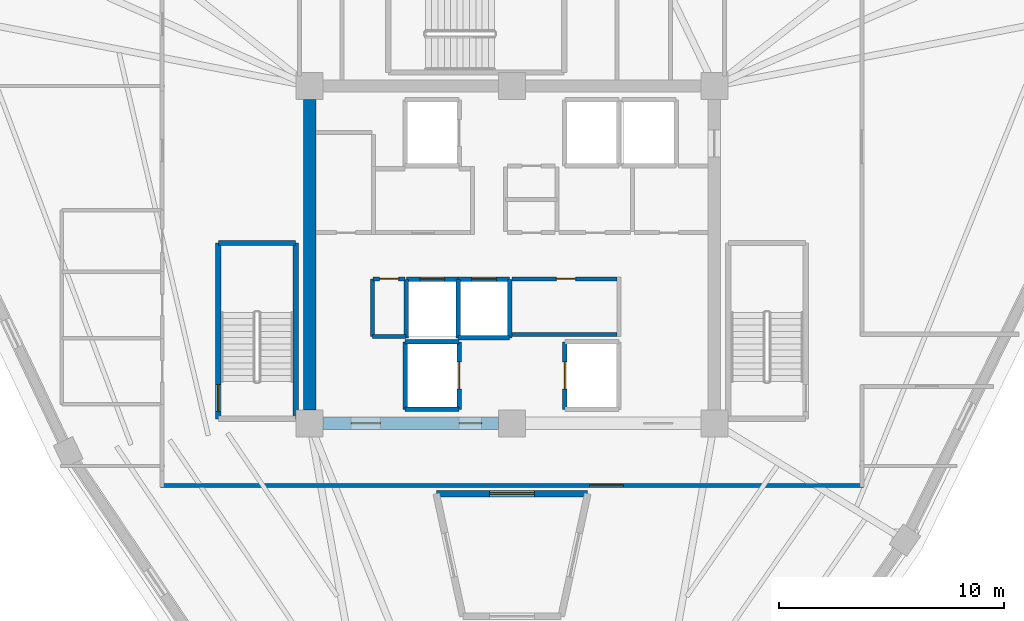
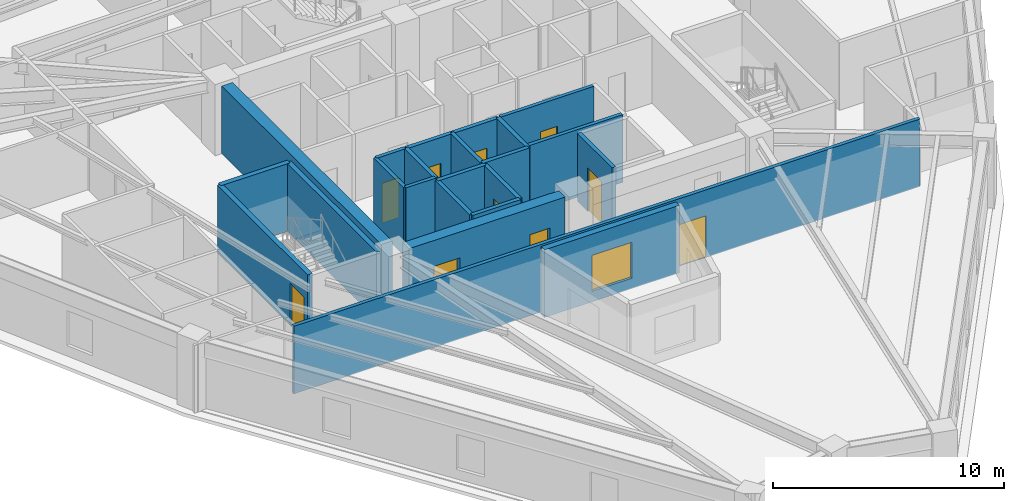
# One storey, part 3 of 9: 23 walls, 10 doors, 1 window, 11 openings.
"""IFC4 building model written with IfcOpenShell, lengths in metres."""

from ifc_helpers import new_model, si_unit, direction, frame, frame_2d, origin, place, context, subcontext, project, spatial, rectangle, extrude, source, transform, mapped, material, layer, layer_set, type_object, element, fill, save


model = new_model("IFC4")

# Units and contexts
model_context = context("Model", 3, precision=1e-05, world=origin(), true_north=direction((0.0, 1.0)))
body_context = subcontext(model_context, "Body", "Model", "MODEL_VIEW")
ifc_project = project(units=[si_unit("LENGTHUNIT", "METRE"), si_unit("AREAUNIT", "SQUARE_METRE"), si_unit("VOLUMEUNIT", "CUBIC_METRE"), si_unit("PLANEANGLEUNIT", "RADIAN"), si_unit("MASSUNIT", "GRAM", prefix="KILO")], contexts=[model_context])

# Site, building, storey
site_placement = place(None, origin())
site = spatial("IfcSite", under=ifc_project, at=site_placement, CompositionType="ELEMENT")
building_placement = place(site_placement, origin())
building = spatial("IfcBuilding", under=site, at=building_placement, Name="Liaohun Quay Tower", CompositionType="ELEMENT")
storey_placement = place(building_placement, frame((0.0, 0.0, 328.5)))
storey = spatial("IfcBuildingStorey", under=building, at=storey_placement, Name="L85", CompositionType="ELEMENT", Elevation=328.5)

# Wall, opening, window
ifc_material_1 = material(Name="Concrete C50", Category="concrete")
ifc_layer_1 = layer(ifc_material_1, 0.300048828125, Name="Concrete C50", Category="concrete")
ifc_layer_set_1 = layer_set([ifc_layer_1], Name="Concrete C50")
wall_type_1 = type_object("IfcWallType", Name="WAL-ATR-300", PredefinedType="SOLIDWALL", material=ifc_layer_set_1)
wall_1_placement = place(storey_placement, frame((56.631103515625, 43.3701171875, 0.0), z_axis=(0.0, 0.0, 1.0), x_axis=(1.0, 0.0, 0.0)))
wall_1 = element("IfcWall", 1, at=wall_1_placement, inside=storey, type_object=wall_type_1, Name="L85 Atrium Fire Compartment Wall 2", PredefinedType="SOLIDWALL", context=body_context, shape_type="SweptSolid", body=[
    extrude(rectangle(XDim=6.73779296875, YDim=0.300048828125, at=frame_2d((3.368896484375, 0.0))), origin(), (0.0, 0.0, 1.0), 3.570068359375),
])
shared_shape_1 = source(origin(), body_context, "Body", "SweptSolid", [
    extrude(rectangle(XDim=2.0, YDim=1.89990234375, at=frame_2d((1.0, 0.949951171875))), frame((0.0, 0.159912109375, 0.0), z_axis=(0.0, -1.0, 0.0), x_axis=(1.0, 0.0, 0.0)), (0.0, 0.0, 1.0), 0.320068359375),
])
opening_1_placement = place(wall_1_placement, frame((2.368896484375, 0.0, 0.550048828125)))
opening_1 = element("IfcOpeningElement", 2, at=opening_1_placement, cuts=wall_1, Name="Opening W07", PredefinedType="OPENING", context=body_context, shape_type="MappedRepresentation", body=[
    mapped(shared_shape_1, transform((0.0, 0.0, 0.0), x_axis=(1.0, 0.0, 0.0), y_axis=(0.0, 1.0, 0.0), z_axis=(0.0, 0.0, 1.0), scale=1.0)),
])
ifc_material_2 = material(Name="Class A 180-min fire-resistant insulated glazing", Category="glass")
window_type = type_object("IfcWindowType", Name="WIN-ATR-FIR", PartitioningType="DOUBLE_PANEL_VERTICAL", PredefinedType="WINDOW", material=ifc_material_2)
shared_shape_2 = source(origin(), body_context, "Body", "SweptSolid", [
    extrude(rectangle(XDim=2.0, YDim=1.89990234375, at=frame_2d((1.0, 0.949951171875))), frame((0.0, 0.030029296875, 0.0), z_axis=(0.0, -1.0, 0.0), x_axis=(1.0, 0.0, 0.0)), (0.0, 0.0, 1.0), 0.06005859375),
])
window_placement = place(opening_1_placement, origin())
window = element("IfcWindow", 3, at=window_placement, inside=storey, type_object=window_type, Name="L85 Atrium Fire-Resistant Glazing W07-2", OverallHeight=1.89990234375, OverallWidth=2.0, PartitioningType="DOUBLE_PANEL_VERTICAL", PredefinedType="WINDOW", context=body_context, shape_type="MappedRepresentation", body=[
    mapped(shared_shape_2, transform((0.0, 0.0, 0.0), x_axis=(1.0, 0.0, 0.0), y_axis=(0.0, 1.0, 0.0), z_axis=(0.0, 0.0, 1.0), scale=1.0)),
])
fill(opening_1, window)

# Wall, openings, doors
ifc_layer_2 = layer(ifc_material_1, 0.550048828125, Name="Concrete C50", Category="concrete")
ifc_layer_set_2 = layer_set([ifc_layer_2], Name="Concrete C50")
wall_type_2 = type_object("IfcWallType", Name="WAL-COR-Z4", PredefinedType="SHEAR", material=ifc_layer_set_2)
wall_2_placement = place(storey_placement, frame((59.39990234375, 46.5, 0.0), z_axis=(0.0, 0.0, 1.0), x_axis=(-1.0, 0.0, 0.0)))
wall_2 = element("IfcWall", 4, at=wall_2_placement, inside=storey, type_object=wall_type_2, Name="L85 Central Core Shear Wall S-W", PredefinedType="SHEAR", context=body_context, shape_type="SweptSolid", body=[
    extrude(rectangle(XDim=7.7998046875, YDim=0.550048828125, at=frame_2d((3.89990234375, 0.0))), origin(), (0.0, 0.0, 1.0), 3.570068359375),
])
shared_shape_3 = source(origin(), body_context, "Body", "SweptSolid", [
    extrude(rectangle(XDim=1.300048828125, YDim=2.199951171875, at=frame_2d((0.64990234375, 1.10009765625))), frame((0.0, 0.284912109375, 0.0), z_axis=(0.0, -1.0, 0.0), x_axis=(1.0, 0.0, 0.0)), (0.0, 0.0, 1.0), 0.570068359375),
])
opening_2_placement = place(wall_2_placement, frame((5.25, 0.0, 0.0)))
opening_2 = element("IfcOpeningElement", 5, at=opening_2_placement, cuts=wall_2, Name="Opening FD1", PredefinedType="OPENING", context=body_context, shape_type="MappedRepresentation", body=[
    mapped(shared_shape_3, transform((0.0, 0.0, 0.0), x_axis=(1.0, 0.0, 0.0), y_axis=(0.0, 1.0, 0.0), z_axis=(0.0, 0.0, 1.0), scale=1.0)),
])
shared_shape_4 = source(origin(), body_context, "Body", "SweptSolid", [
    extrude(rectangle(XDim=1.0, YDim=2.199951171875, at=frame_2d((0.5, 1.10009765625))), frame((0.0, 0.284912109375, 0.0), z_axis=(0.0, -1.0, 0.0), x_axis=(1.0, 0.0, 0.0)), (0.0, 0.0, 1.0), 0.570068359375),
])
opening_3_placement = place(wall_2_placement, frame((0.75, 0.0, 0.0)))
opening_3 = element("IfcOpeningElement", 6, at=opening_3_placement, cuts=wall_2, Name="Opening FD2", PredefinedType="OPENING", context=body_context, shape_type="MappedRepresentation", body=[
    mapped(shared_shape_4, transform((0.0, 0.0, 0.0), x_axis=(1.0, 0.0, 0.0), y_axis=(0.0, 1.0, 0.0), z_axis=(0.0, 0.0, 1.0), scale=1.0)),
])
ifc_material_3 = material(Name="Galvanised steel smokeproof fire door", Category="steel")
door_type_1 = type_object("IfcDoorType", Name="DOR-FFL-1300", OperationType="NOTDEFINED", PredefinedType="DOOR", material=ifc_material_3)
shared_shape_5 = source(origin(), body_context, "Body", "SweptSolid", [
    extrude(rectangle(XDim=1.300048828125, YDim=2.199951171875, at=frame_2d((0.64990234375, 1.10009765625))), frame((0.0, 0.02490234375, 0.0), z_axis=(0.0, -1.0, 0.0), x_axis=(1.0, 0.0, 0.0)), (0.0, 0.0, 1.0), 0.050048828125),
])
door_1_placement = place(opening_2_placement, origin())
door_1 = element("IfcDoor", 7, at=door_1_placement, inside=storey, type_object=door_type_1, Name="L85 West Core Lift Lobby Smokeproof Door", OperationType="SINGLE_SWING_RIGHT", OverallHeight=2.199951171875, OverallWidth=1.300048828125, PredefinedType="DOOR", context=body_context, shape_type="MappedRepresentation", body=[
    mapped(shared_shape_5, transform((0.0, 0.0, 0.0), x_axis=(1.0, 0.0, 0.0), y_axis=(0.0, 1.0, 0.0), z_axis=(0.0, 0.0, 1.0), scale=1.0)),
])
fill(opening_2, door_1)
ifc_material_4 = material(Name="Galvanised steel smokeproof lobby fire door", Category="steel")
door_type_2 = type_object("IfcDoorType", Name="DOR-FFL-1000", OperationType="NOTDEFINED", PredefinedType="DOOR", material=ifc_material_4)
shared_shape_6 = source(origin(), body_context, "Body", "SweptSolid", [
    extrude(rectangle(XDim=1.0, YDim=2.199951171875, at=frame_2d((0.5, 1.10009765625))), frame((0.0, 0.02490234375, 0.0), z_axis=(0.0, -1.0, 0.0), x_axis=(1.0, 0.0, 0.0)), (0.0, 0.0, 1.0), 0.050048828125),
])
door_2_placement = place(opening_3_placement, origin())
door_2 = element("IfcDoor", 8, at=door_2_placement, inside=storey, type_object=door_type_2, Name="L85 South Firefighting Lobby Smokeproof Door", OperationType="SINGLE_SWING_LEFT", OverallHeight=2.199951171875, OverallWidth=1.0, PredefinedType="DOOR", context=body_context, shape_type="MappedRepresentation", body=[
    mapped(shared_shape_6, transform((0.0, 0.0, 0.0), x_axis=(1.0, 0.0, 0.0), y_axis=(0.0, 1.0, 0.0), z_axis=(0.0, 0.0, 1.0), scale=1.0)),
])
fill(opening_3, door_2)

# Wall
wall_3_placement = place(storey_placement, frame((51.0, 47.10009765625, 0.0), z_axis=(0.0, 0.0, 1.0), x_axis=(0.0, 1.0, 0.0)))
element("IfcWall", 9, at=wall_3_placement, inside=storey, type_object=wall_type_2, Name="L85 Central Core Shear Wall W", PredefinedType="SHEAR", context=body_context, shape_type="SweptSolid", body=[
    extrude(rectangle(XDim=13.7998046875, YDim=0.550048828125, at=frame_2d((6.89990234375, 0.0))), origin(), (0.0, 0.0, 1.0), 3.570068359375),
])

# Wall, opening, door
ifc_material_5 = material(Name="Autoclaved aerated concrete blockwork", Category="masonry")
ifc_layer_3 = layer(ifc_material_5, 0.179931640625, Name="Autoclaved aerated concrete blockwork", Category="masonry")
ifc_layer_set_3 = layer_set([ifc_layer_3], Name="Autoclaved aerated concrete blockwork")
wall_type_3 = type_object("IfcWallType", Name="WAL-PRT-COR", PredefinedType="PARTITIONING", material=ifc_layer_set_3)
wall_4_placement = place(storey_placement, frame((60.0, 52.919921875, 0.0), z_axis=(0.0, 0.0, 1.0), x_axis=(1.0, 0.0, 0.0)))
wall_4 = element("IfcWall", 10, at=wall_4_placement, inside=storey, type_object=wall_type_3, Name="L85 Interior Partition Wall 001", PredefinedType="PARTITIONING", context=body_context, shape_type="SweptSolid", body=[
    extrude(rectangle(XDim=4.659912109375, YDim=0.179931640625, at=frame_2d((2.330078125, 0.0))), origin(), (0.0, 0.0, 1.0), 3.570068359375),
])
shared_shape_7 = source(origin(), body_context, "Body", "SweptSolid", [
    extrude(rectangle(XDim=0.85009765625, YDim=2.10009765625, at=frame_2d((0.425048828125, 1.050048828125))), frame((0.0, 0.099853515625, 0.0), z_axis=(0.0, -1.0, 0.0), x_axis=(1.0, 0.0, 0.0)), (0.0, 0.0, 1.0), 0.199951171875),
])
opening_4_placement = place(wall_4_placement, frame((1.97509765625, 0.0, 0.0)))
opening_4 = element("IfcOpeningElement", 11, at=opening_4_placement, cuts=wall_4, Name="Opening AD1", PredefinedType="OPENING", context=body_context, shape_type="MappedRepresentation", body=[
    mapped(shared_shape_7, transform((0.0, 0.0, 0.0), x_axis=(1.0, 0.0, 0.0), y_axis=(0.0, 1.0, 0.0), z_axis=(0.0, 0.0, 1.0), scale=1.0)),
])
ifc_material_6 = material(Name="Steel riser inspection fire door", Category="steel")
door_type_3 = type_object("IfcDoorType", Name="DOR-SHF-850", OperationType="NOTDEFINED", PredefinedType="DOOR", material=ifc_material_6)
shared_shape_8 = source(origin(), body_context, "Body", "SweptSolid", [
    extrude(rectangle(XDim=0.85009765625, YDim=2.10009765625, at=frame_2d((0.425048828125, 1.050048828125))), frame((0.0, 0.02490234375, 0.0), z_axis=(0.0, -1.0, 0.0), x_axis=(1.0, 0.0, 0.0)), (0.0, 0.0, 1.0), 0.050048828125),
])
door_3_placement = place(opening_4_placement, origin())
door_3 = element("IfcDoor", 12, at=door_3_placement, inside=storey, type_object=door_type_3, Name="L85 Core High-Zone BMS and Switch Room Door", OperationType="SINGLE_SWING_LEFT", OverallHeight=2.10009765625, OverallWidth=0.85009765625, PredefinedType="DOOR", context=body_context, shape_type="MappedRepresentation", body=[
    mapped(shared_shape_8, transform((0.0, 0.0, 0.0), x_axis=(1.0, 0.0, 0.0), y_axis=(0.0, 1.0, 0.0), z_axis=(0.0, 0.0, 1.0), scale=1.0)),
])
fill(opening_4, door_3)

wall_5_placement = place(storey_placement, frame((53.820068359375, 52.919921875, 0.0), z_axis=(0.0, 0.0, 1.0), x_axis=(1.0, 0.0, 0.0)))
wall_5 = element("IfcWall", 13, at=wall_5_placement, inside=storey, type_object=wall_type_3, Name="L85 Interior Partition Wall 008", PredefinedType="PARTITIONING", context=body_context, shape_type="SweptSolid", body=[
    extrude(rectangle(XDim=1.429931640625, YDim=0.179931640625, at=frame_2d((0.71484375, 0.0))), origin(), (0.0, 0.0, 1.0), 3.570068359375),
])
opening_5_placement = place(wall_5_placement, frame((0.2900390625, 0.0, 0.0)))
opening_5 = element("IfcOpeningElement", 14, at=opening_5_placement, cuts=wall_5, Name="Opening AD1", PredefinedType="OPENING", context=body_context, shape_type="MappedRepresentation", body=[
    mapped(shared_shape_7, transform((0.0, 0.0, 0.0), x_axis=(1.0, 0.0, 0.0), y_axis=(0.0, 1.0, 0.0), z_axis=(0.0, 0.0, 1.0), scale=1.0)),
])
door_4_placement = place(opening_5_placement, origin())
door_4 = element("IfcDoor", 15, at=door_4_placement, inside=storey, type_object=door_type_3, Name="L85 Core Fire Hose and Riser Closet Door", OperationType="SINGLE_SWING_RIGHT", OverallHeight=2.10009765625, OverallWidth=0.85009765625, PredefinedType="DOOR", context=body_context, shape_type="MappedRepresentation", body=[
    mapped(shared_shape_8, transform((0.0, 0.0, 0.0), x_axis=(1.0, 0.0, 0.0), y_axis=(0.0, 1.0, 0.0), z_axis=(0.0, 0.0, 1.0), scale=1.0)),
])
fill(opening_5, door_4)

wall_6_placement = place(storey_placement, frame((75.6298828125, 43.739990234375, 0.0), z_axis=(0.0, 0.0, 1.0), x_axis=(-1.0, 0.0, 0.0)))
wall_6 = element("IfcWall", 16, at=wall_6_placement, inside=storey, type_object=wall_type_3, Name="L85 Interior Partition Wall 026", PredefinedType="PARTITIONING", context=body_context, shape_type="SweptSolid", body=[
    extrude(rectangle(XDim=31.259765625, YDim=0.179931640625, at=frame_2d((15.6298828125, 0.0))), origin(), (0.0, 0.0, 1.0), 3.570068359375),
])
shared_shape_9 = source(origin(), body_context, "Body", "SweptSolid", [
    extrude(rectangle(XDim=1.5, YDim=2.199951171875, at=frame_2d((0.75, 1.10009765625))), frame((0.0, 0.099853515625, 0.0), z_axis=(0.0, -1.0, 0.0), x_axis=(1.0, 0.0, 0.0)), (0.0, 0.0, 1.0), 0.199951171875),
])
opening_6_placement = place(wall_6_placement, frame((10.679931640625, 0.0, 0.0)))
opening_6 = element("IfcOpeningElement", 17, at=opening_6_placement, cuts=wall_6, Name="Opening OD2", PredefinedType="OPENING", context=body_context, shape_type="MappedRepresentation", body=[
    mapped(shared_shape_9, transform((0.0, 0.0, 0.0), x_axis=(1.0, 0.0, 0.0), y_axis=(0.0, 1.0, 0.0), z_axis=(0.0, 0.0, 1.0), scale=1.0)),
])
ifc_material_7 = material(Name="Acoustic oak veneer double door")
door_type_4 = type_object("IfcDoorType", Name="DOR-OFF-1500", OperationType="DOUBLE_DOOR_SINGLE_SWING", PredefinedType="DOOR", material=ifc_material_7)
shared_shape_10 = source(origin(), body_context, "Body", "SweptSolid", [
    extrude(rectangle(XDim=1.5, YDim=2.199951171875, at=frame_2d((0.75, 1.10009765625))), frame((0.0, 0.02490234375, 0.0), z_axis=(0.0, -1.0, 0.0), x_axis=(1.0, 0.0, 0.0)), (0.0, 0.0, 1.0), 0.050048828125),
])
door_5_placement = place(opening_6_placement, origin())
door_5 = element("IfcDoor", 18, at=door_5_placement, inside=storey, type_object=door_type_4, Name="L85 Corporate Exhibition Gallery 08 Door", OperationType="DOUBLE_DOOR_SINGLE_SWING", OverallHeight=2.199951171875, OverallWidth=1.5, PredefinedType="DOOR", context=body_context, shape_type="MappedRepresentation", body=[
    mapped(shared_shape_10, transform((0.0, 0.0, 0.0), x_axis=(1.0, 0.0, 0.0), y_axis=(0.0, 1.0, 0.0), z_axis=(0.0, 0.0, 1.0), scale=1.0)),
])
fill(opening_6, door_5)

# Walls
wall_7_placement = place(storey_placement, frame((53.7900390625, 50.35009765625, 0.0), z_axis=(0.0, 0.0, 1.0), x_axis=(0.0, 1.0, 0.0)))
element("IfcWall", 19, at=wall_7_placement, inside=storey, type_object=wall_type_3, Name="L85 Interior Partition Wall 033", PredefinedType="PARTITIONING", context=body_context, shape_type="SweptSolid", body=[
    extrude(rectangle(XDim=2.56982421875, YDim=0.179931640625, at=frame_2d((1.284912109375, 0.0))), origin(), (0.0, 0.0, 1.0), 3.570068359375),
])
wall_8_placement = place(storey_placement, frame((53.7900390625, 50.35009765625, 0.0), z_axis=(0.0, 0.0, 1.0), x_axis=(1.0, 0.0, 0.0)))
element("IfcWall", 20, at=wall_8_placement, inside=storey, type_object=wall_type_3, Name="L85 Interior Partition Wall 034", PredefinedType="PARTITIONING", context=body_context, shape_type="SweptSolid", body=[
    extrude(rectangle(XDim=1.489990234375, YDim=0.179931640625, at=frame_2d((0.7451171875, 0.0))), origin(), (0.0, 0.0, 1.0), 3.570068359375),
])
wall_9_placement = place(storey_placement, frame((60.0, 50.449951171875, 0.0), z_axis=(0.0, 0.0, 1.0), x_axis=(1.0, 0.0, 0.0)))
element("IfcWall", 21, at=wall_9_placement, inside=storey, type_object=wall_type_3, Name="L85 Interior Partition Wall 062", PredefinedType="PARTITIONING", context=body_context, shape_type="SweptSolid", body=[
    extrude(rectangle(XDim=4.659912109375, YDim=0.179931640625, at=frame_2d((2.330078125, 0.0))), origin(), (0.0, 0.0, 1.0), 3.570068359375),
])
ifc_layer_4 = layer(ifc_material_1, 0.239990234375, Name="Concrete C50", Category="concrete")
ifc_layer_set_4 = layer_set([ifc_layer_4], Name="Concrete C50")
wall_type_4 = type_object("IfcWallType", Name="WAL-SHF-200", PredefinedType="SOLIDWALL", material=ifc_layer_set_4)
wall_10_placement = place(storey_placement, frame((50.3798828125, 46.699951171875, 0.0), z_axis=(0.0, 0.0, 1.0), x_axis=(0.0, 1.0, 0.0)))
element("IfcWall", 22, at=wall_10_placement, inside=storey, type_object=wall_type_4, Name="L85 Stairwell ST-1 Structural Core Wall E", PredefinedType="SOLIDWALL", context=body_context, shape_type="SweptSolid", body=[
    extrude(rectangle(XDim=7.820068359375, YDim=0.239990234375, at=frame_2d((3.91015625, 0.0))), origin(), (0.0, 0.0, 1.0), 3.570068359375),
])
wall_11_placement = place(storey_placement, frame((50.3798828125, 54.52001953125, 0.0), z_axis=(0.0, 0.0, 1.0), x_axis=(-1.0, 0.0, 0.0)))
element("IfcWall", 23, at=wall_11_placement, inside=storey, type_object=wall_type_4, Name="L85 Stairwell ST-1 Structural Core Wall N", PredefinedType="SOLIDWALL", context=body_context, shape_type="SweptSolid", body=[
    extrude(rectangle(XDim=3.43994140625, YDim=0.239990234375, at=frame_2d((1.719970703125, 0.0))), origin(), (0.0, 0.0, 1.0), 3.570068359375),
])

# Wall, opening, door
wall_12_placement = place(storey_placement, frame((46.93994140625, 54.52001953125, 0.0), z_axis=(0.0, 0.0, 1.0), x_axis=(0.0, -1.0, 0.0)))
wall_12 = element("IfcWall", 24, at=wall_12_placement, inside=storey, type_object=wall_type_4, Name="L85 Stairwell ST-1 Structural Core Wall W", PredefinedType="SOLIDWALL", context=body_context, shape_type="SweptSolid", body=[
    extrude(rectangle(XDim=7.820068359375, YDim=0.239990234375, at=frame_2d((3.91015625, 0.0))), origin(), (0.0, 0.0, 1.0), 3.570068359375),
])
shared_shape_11 = source(origin(), body_context, "Body", "SweptSolid", [
    extrude(rectangle(XDim=1.199951171875, YDim=2.199951171875, at=frame_2d((0.60009765625, 1.10009765625))), frame((0.0, 0.1298828125, 0.0), z_axis=(0.0, -1.0, 0.0), x_axis=(1.0, 0.0, 0.0)), (0.0, 0.0, 1.0), 0.260009765625),
])
opening_7_placement = place(wall_12_placement, frame((6.300048828125, 0.0, 0.0)))
opening_7 = element("IfcOpeningElement", 25, at=opening_7_placement, cuts=wall_12, Name="Opening SD1", PredefinedType="OPENING", context=body_context, shape_type="MappedRepresentation", body=[
    mapped(shared_shape_11, transform((0.0, 0.0, 0.0), x_axis=(1.0, 0.0, 0.0), y_axis=(0.0, 1.0, 0.0), z_axis=(0.0, 0.0, 1.0), scale=1.0)),
])
ifc_material_8 = material(Name="Galvanised steel fire door", Category="steel")
door_type_5 = type_object("IfcDoorType", Name="DOR-STR-1200", OperationType="NOTDEFINED", PredefinedType="DOOR", material=ifc_material_8)
shared_shape_12 = source(origin(), body_context, "Body", "SweptSolid", [
    extrude(rectangle(XDim=1.199951171875, YDim=2.199951171875, at=frame_2d((0.60009765625, 1.10009765625))), frame((0.0, 0.02490234375, 0.0), z_axis=(0.0, -1.0, 0.0), x_axis=(1.0, 0.0, 0.0)), (0.0, 0.0, 1.0), 0.050048828125),
])
door_6_placement = place(opening_7_placement, origin())
door_6 = element("IfcDoor", 26, at=door_6_placement, inside=storey, type_object=door_type_5, Name="L85 Protected Stair ST-1 Fire Door", OperationType="SINGLE_SWING_LEFT", OverallHeight=2.199951171875, OverallWidth=1.199951171875, PredefinedType="DOOR", context=body_context, shape_type="MappedRepresentation", body=[
    mapped(shared_shape_12, transform((0.0, 0.0, 0.0), x_axis=(1.0, 0.0, 0.0), y_axis=(0.0, 1.0, 0.0), z_axis=(0.0, 0.0, 1.0), scale=1.0)),
])
fill(opening_7, door_6)

# Wall
wall_13_placement = place(storey_placement, frame((55.25, 47.1201171875, 0.0), z_axis=(0.0, 0.0, 1.0), x_axis=(1.0, 0.0, 0.0)))
element("IfcWall", 27, at=wall_13_placement, inside=storey, type_object=wall_type_4, Name="L85 Lift FF-01 Hoistway Wall S", PredefinedType="SOLIDWALL", context=body_context, shape_type="SweptSolid", body=[
    extrude(rectangle(XDim=2.39990234375, YDim=0.199951171875, at=frame_2d((1.199951171875, 0.0))), origin(), (0.0, 0.0, 1.0), 3.570068359375),
])

# Wall, opening, door
wall_14_placement = place(storey_placement, frame((57.64990234375, 47.1201171875, 0.0), z_axis=(0.0, 0.0, 1.0), x_axis=(0.0, 1.0, 0.0)))
wall_14 = element("IfcWall", 28, at=wall_14_placement, inside=storey, type_object=wall_type_4, Name="L85 Lift FF-01 Hoistway Wall E", PredefinedType="SOLIDWALL", context=body_context, shape_type="SweptSolid", body=[
    extrude(rectangle(XDim=3.0, YDim=0.199951171875, at=frame_2d((1.5, 0.0))), origin(), (0.0, 0.0, 1.0), 3.570068359375),
])
shared_shape_13 = source(origin(), body_context, "Body", "SweptSolid", [
    extrude(rectangle(XDim=1.199951171875, YDim=2.300048828125, at=frame_2d((0.60009765625, 1.14990234375))), frame((0.0, 0.10986328125, 0.0), z_axis=(0.0, -1.0, 0.0), x_axis=(1.0, 0.0, 0.0)), (0.0, 0.0, 1.0), 0.219970703125),
])
opening_8_placement = place(wall_14_placement, frame((0.89990234375, 0.0, 0.0)))
opening_8 = element("IfcOpeningElement", 29, at=opening_8_placement, cuts=wall_14, Name="Opening LD2", PredefinedType="OPENING", context=body_context, shape_type="MappedRepresentation", body=[
    mapped(shared_shape_13, transform((0.0, 0.0, 0.0), x_axis=(1.0, 0.0, 0.0), y_axis=(0.0, 1.0, 0.0), z_axis=(0.0, 0.0, 1.0), scale=1.0)),
])
ifc_material_9 = material(Name="Brushed stainless steel stretcher landing door", Category="steel")
door_type_6 = type_object("IfcDoorType", Name="DOR-LFT-1200", OperationType="SLIDING_TO_LEFT", PredefinedType="DOOR", material=ifc_material_9)
shared_shape_14 = source(origin(), body_context, "Body", "SweptSolid", [
    extrude(rectangle(XDim=1.199951171875, YDim=2.300048828125, at=frame_2d((0.60009765625, 1.14990234375))), frame((0.0, 0.02490234375, 0.0), z_axis=(0.0, -1.0, 0.0), x_axis=(1.0, 0.0, 0.0)), (0.0, 0.0, 1.0), 0.050048828125),
])
door_7_placement = place(opening_8_placement, origin())
door_7 = element("IfcDoor", 30, at=door_7_placement, inside=storey, type_object=door_type_6, Name="L85 Lift FF-01 Sliding Landing Door", OperationType="SLIDING_TO_LEFT", OverallHeight=2.300048828125, OverallWidth=1.199951171875, PredefinedType="DOOR", context=body_context, shape_type="MappedRepresentation", body=[
    mapped(shared_shape_14, transform((0.0, 0.0, 0.0), x_axis=(1.0, 0.0, 0.0), y_axis=(0.0, 1.0, 0.0), z_axis=(0.0, 0.0, 1.0), scale=1.0)),
])
fill(opening_8, door_7)

# Walls
wall_15_placement = place(storey_placement, frame((57.64990234375, 50.1201171875, 0.0), z_axis=(0.0, 0.0, 1.0), x_axis=(-1.0, 0.0, 0.0)))
element("IfcWall", 31, at=wall_15_placement, inside=storey, type_object=wall_type_4, Name="L85 Lift FF-01 Hoistway Wall N", PredefinedType="SOLIDWALL", context=body_context, shape_type="SweptSolid", body=[
    extrude(rectangle(XDim=2.39990234375, YDim=0.199951171875, at=frame_2d((1.199951171875, 0.0))), origin(), (0.0, 0.0, 1.0), 3.570068359375),
])
wall_16_placement = place(storey_placement, frame((55.25, 50.1201171875, 0.0), z_axis=(0.0, 0.0, 1.0), x_axis=(0.0, -1.0, 0.0)))
element("IfcWall", 32, at=wall_16_placement, inside=storey, type_object=wall_type_4, Name="L85 Lift FF-01 Hoistway Wall W", PredefinedType="SOLIDWALL", context=body_context, shape_type="SweptSolid", body=[
    extrude(rectangle(XDim=3.0, YDim=0.199951171875, at=frame_2d((1.5, 0.0))), origin(), (0.0, 0.0, 1.0), 3.570068359375),
])

# Wall, opening, door
wall_17_placement = place(storey_placement, frame((62.35009765625, 50.1201171875, 0.0), z_axis=(0.0, 0.0, 1.0), x_axis=(0.0, -1.0, 0.0)))
wall_17 = element("IfcWall", 33, at=wall_17_placement, inside=storey, type_object=wall_type_4, Name="L85 Lift FF-02 Hoistway Wall W", PredefinedType="SOLIDWALL", context=body_context, shape_type="SweptSolid", body=[
    extrude(rectangle(XDim=3.0, YDim=0.199951171875, at=frame_2d((1.5, 0.0))), origin(), (0.0, 0.0, 1.0), 3.570068359375),
])
opening_9_placement = place(wall_17_placement, frame((0.89990234375, 0.0, 0.0)))
opening_9 = element("IfcOpeningElement", 34, at=opening_9_placement, cuts=wall_17, Name="Opening LD2", PredefinedType="OPENING", context=body_context, shape_type="MappedRepresentation", body=[
    mapped(shared_shape_13, transform((0.0, 0.0, 0.0), x_axis=(1.0, 0.0, 0.0), y_axis=(0.0, 1.0, 0.0), z_axis=(0.0, 0.0, 1.0), scale=1.0)),
])
door_8_placement = place(opening_9_placement, origin())
door_8 = element("IfcDoor", 35, at=door_8_placement, inside=storey, type_object=door_type_6, Name="L85 Lift FF-02 Sliding Landing Door", OperationType="SLIDING_TO_LEFT", OverallHeight=2.300048828125, OverallWidth=1.199951171875, PredefinedType="DOOR", context=body_context, shape_type="MappedRepresentation", body=[
    mapped(shared_shape_14, transform((0.0, 0.0, 0.0), x_axis=(1.0, 0.0, 0.0), y_axis=(0.0, 1.0, 0.0), z_axis=(0.0, 0.0, 1.0), scale=1.0)),
])
fill(opening_9, door_8)

# Wall
wall_18_placement = place(storey_placement, frame((57.60009765625, 50.300048828125, 0.0), z_axis=(0.0, 0.0, 1.0), x_axis=(0.0, 1.0, 0.0)))
element("IfcWall", 36, at=wall_18_placement, inside=storey, type_object=wall_type_4, Name="L85 Lift PL-4A Hoistway Wall E", PredefinedType="SOLIDWALL", context=body_context, shape_type="SweptSolid", body=[
    extrude(rectangle(XDim=2.599853515625, YDim=0.199951171875, at=frame_2d((1.2998046875, 0.0))), origin(), (0.0, 0.0, 1.0), 3.570068359375),
])

# Wall, opening, door
wall_19_placement = place(storey_placement, frame((57.60009765625, 52.89990234375, 0.0), z_axis=(0.0, 0.0, 1.0), x_axis=(-1.0, 0.0, 0.0)))
wall_19 = element("IfcWall", 37, at=wall_19_placement, inside=storey, type_object=wall_type_4, Name="L85 Lift PL-4A Hoistway Wall N", PredefinedType="SOLIDWALL", context=body_context, shape_type="SweptSolid", body=[
    extrude(rectangle(XDim=2.300048828125, YDim=0.199951171875, at=frame_2d((1.14990234375, 0.0))), origin(), (0.0, 0.0, 1.0), 3.570068359375),
])
shared_shape_15 = source(origin(), body_context, "Body", "SweptSolid", [
    extrude(rectangle(XDim=1.10009765625, YDim=2.199951171875, at=frame_2d((0.550048828125, 1.10009765625))), frame((0.0, 0.10986328125, 0.0), z_axis=(0.0, -1.0, 0.0), x_axis=(1.0, 0.0, 0.0)), (0.0, 0.0, 1.0), 0.219970703125),
])
opening_10_placement = place(wall_19_placement, frame((0.60009765625, 0.0, 0.0)))
opening_10 = element("IfcOpeningElement", 38, at=opening_10_placement, cuts=wall_19, Name="Opening LD1", PredefinedType="OPENING", context=body_context, shape_type="MappedRepresentation", body=[
    mapped(shared_shape_15, transform((0.0, 0.0, 0.0), x_axis=(1.0, 0.0, 0.0), y_axis=(0.0, 1.0, 0.0), z_axis=(0.0, 0.0, 1.0), scale=1.0)),
])
ifc_material_10 = material(Name="Brushed stainless steel landing door", Category="steel")
door_type_7 = type_object("IfcDoorType", Name="DOR-LFT-1100", OperationType="SLIDING_TO_LEFT", PredefinedType="DOOR", material=ifc_material_10)
shared_shape_16 = source(origin(), body_context, "Body", "SweptSolid", [
    extrude(rectangle(XDim=1.10009765625, YDim=2.199951171875, at=frame_2d((0.550048828125, 1.10009765625))), frame((0.0, 0.02490234375, 0.0), z_axis=(0.0, -1.0, 0.0), x_axis=(1.0, 0.0, 0.0)), (0.0, 0.0, 1.0), 0.050048828125),
])
door_9_placement = place(opening_10_placement, origin())
door_9 = element("IfcDoor", 39, at=door_9_placement, inside=storey, type_object=door_type_7, Name="L85 Lift PL-4A Sliding Landing Door", OperationType="SLIDING_TO_LEFT", OverallHeight=2.199951171875, OverallWidth=1.10009765625, PredefinedType="DOOR", context=body_context, shape_type="MappedRepresentation", body=[
    mapped(shared_shape_16, transform((0.0, 0.0, 0.0), x_axis=(1.0, 0.0, 0.0), y_axis=(0.0, 1.0, 0.0), z_axis=(0.0, 0.0, 1.0), scale=1.0)),
])
fill(opening_10, door_9)

# Walls
wall_20_placement = place(storey_placement, frame((55.300048828125, 52.89990234375, 0.0), z_axis=(0.0, 0.0, 1.0), x_axis=(0.0, -1.0, 0.0)))
element("IfcWall", 40, at=wall_20_placement, inside=storey, type_object=wall_type_4, Name="L85 Lift PL-4A Hoistway Wall W", PredefinedType="SOLIDWALL", context=body_context, shape_type="SweptSolid", body=[
    extrude(rectangle(XDim=2.599853515625, YDim=0.199951171875, at=frame_2d((1.2998046875, 0.0))), origin(), (0.0, 0.0, 1.0), 3.570068359375),
])
wall_21_placement = place(storey_placement, frame((57.60009765625, 50.300048828125, 0.0), z_axis=(0.0, 0.0, 1.0), x_axis=(1.0, 0.0, 0.0)))
element("IfcWall", 41, at=wall_21_placement, inside=storey, type_object=wall_type_4, Name="L85 Lift PL-4B Hoistway Wall S", PredefinedType="SOLIDWALL", context=body_context, shape_type="SweptSolid", body=[
    extrude(rectangle(XDim=2.2998046875, YDim=0.199951171875, at=frame_2d((1.14990234375, 0.0))), origin(), (0.0, 0.0, 1.0), 3.570068359375),
])
wall_22_placement = place(storey_placement, frame((59.89990234375, 50.300048828125, 0.0), z_axis=(0.0, 0.0, 1.0), x_axis=(0.0, 1.0, 0.0)))
element("IfcWall", 42, at=wall_22_placement, inside=storey, type_object=wall_type_4, Name="L85 Lift PL-4B Hoistway Wall E", PredefinedType="SOLIDWALL", context=body_context, shape_type="SweptSolid", body=[
    extrude(rectangle(XDim=2.599853515625, YDim=0.199951171875, at=frame_2d((1.2998046875, 0.0))), origin(), (0.0, 0.0, 1.0), 3.570068359375),
])

# Wall, opening, door
wall_23_placement = place(storey_placement, frame((59.89990234375, 52.89990234375, 0.0), z_axis=(0.0, 0.0, 1.0), x_axis=(-1.0, 0.0, 0.0)))
wall_23 = element("IfcWall", 43, at=wall_23_placement, inside=storey, type_object=wall_type_4, Name="L85 Lift PL-4B Hoistway Wall N", PredefinedType="SOLIDWALL", context=body_context, shape_type="SweptSolid", body=[
    extrude(rectangle(XDim=2.2998046875, YDim=0.199951171875, at=frame_2d((1.14990234375, 0.0))), origin(), (0.0, 0.0, 1.0), 3.570068359375),
])
opening_11_placement = place(wall_23_placement, frame((0.60009765625, 0.0, 0.0)))
opening_11 = element("IfcOpeningElement", 44, at=opening_11_placement, cuts=wall_23, Name="Opening LD1", PredefinedType="OPENING", context=body_context, shape_type="MappedRepresentation", body=[
    mapped(shared_shape_15, transform((0.0, 0.0, 0.0), x_axis=(1.0, 0.0, 0.0), y_axis=(0.0, 1.0, 0.0), z_axis=(0.0, 0.0, 1.0), scale=1.0)),
])
door_10_placement = place(opening_11_placement, origin())
door_10 = element("IfcDoor", 45, at=door_10_placement, inside=storey, type_object=door_type_7, Name="L85 Lift PL-4B Sliding Landing Door", OperationType="SLIDING_TO_LEFT", OverallHeight=2.199951171875, OverallWidth=1.10009765625, PredefinedType="DOOR", context=body_context, shape_type="MappedRepresentation", body=[
    mapped(shared_shape_16, transform((0.0, 0.0, 0.0), x_axis=(1.0, 0.0, 0.0), y_axis=(0.0, 1.0, 0.0), z_axis=(0.0, 0.0, 1.0), scale=1.0)),
])
fill(opening_11, door_10)

save(model, "model.ifc")
